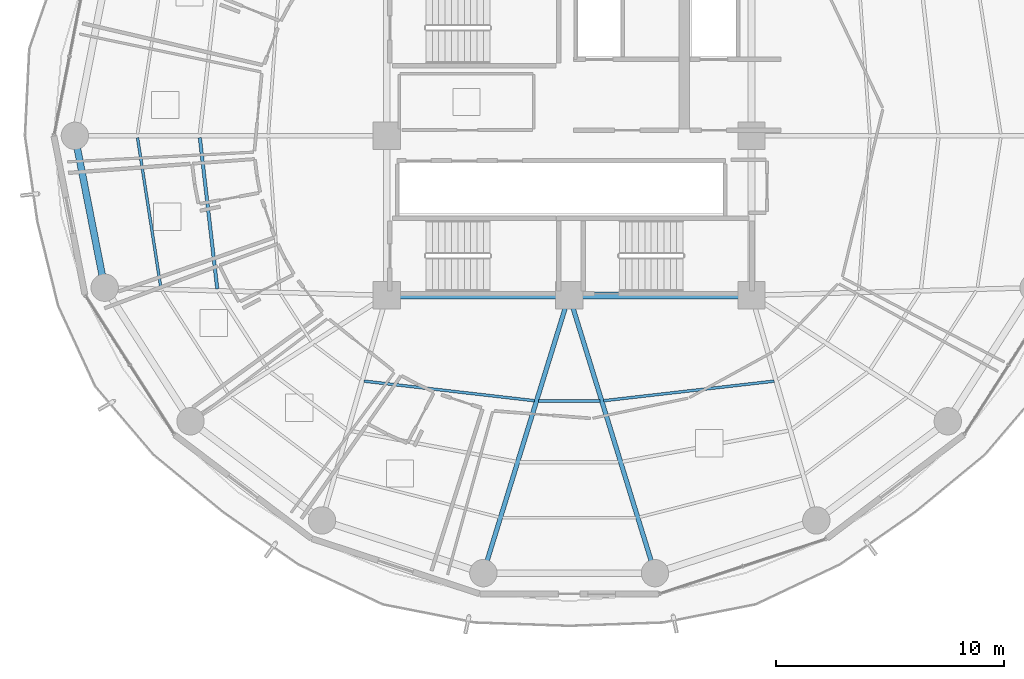
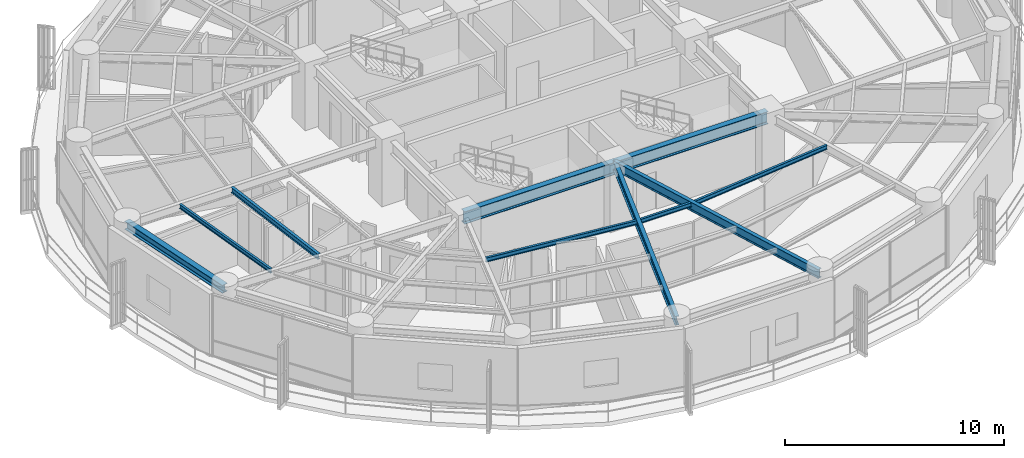
# One storey, part 5 of 28: 10 beams.
"""IFC4 building model written with IfcOpenShell, lengths in metres."""

from ifc_helpers import new_model, si_unit, direction, frame, origin, origin_2d, place, context, subcontext, project, spatial, i_section, extrude, material, material_profile, profile_set, type_object, element, save


model = new_model("IFC4")

# Units and contexts
model_context = context("Model", 3, precision=1e-05, world=origin(), true_north=direction((0.0, 1.0)))
body_context = subcontext(model_context, "Body", "Model", "MODEL_VIEW")
ifc_project = project(units=[si_unit("LENGTHUNIT", "METRE"), si_unit("AREAUNIT", "SQUARE_METRE"), si_unit("VOLUMEUNIT", "CUBIC_METRE"), si_unit("PLANEANGLEUNIT", "RADIAN"), si_unit("MASSUNIT", "GRAM", prefix="KILO")], contexts=[model_context])

# Site, building, storey
site_placement = place(None, origin())
site = spatial("IfcSite", under=ifc_project, at=site_placement, CompositionType="ELEMENT")
building_placement = place(site_placement, origin())
building = spatial("IfcBuilding", under=site, at=building_placement, Name="Kelanora Arch Commons", CompositionType="ELEMENT")
storey_placement = place(building_placement, frame((0.0, 0.0, 139.35009765625)))
storey = spatial("IfcBuildingStorey", under=building, at=storey_placement, Name="L35", CompositionType="ELEMENT", Elevation=139.35009765625)

# Beams
ifc_material = material(Name="Steel S355", Category="steel")
ifc_material_profile_1 = material_profile(ifc_material, i_section(OverallWidth=0.300048828125, OverallDepth=0.699951171875, WebThickness=0.01708984375, FlangeThickness=0.031982421875, FilletRadius=0.027099609375, at=origin_2d()), Name="HEB700")
ifc_profile_set_1 = profile_set([ifc_material_profile_1], Name="Steel S355")
beam_type_1 = type_object("IfcBeamType", Name="BM-CORE-HDR", PredefinedType="BEAM", material=ifc_profile_set_1)
for number, where, z_axis, x_axis, name in (
    (1, (66.0, 51.0, 3.139892578125), (1.0, 0.0, 0.0), (0.0, 1.0, 0.0), "Core Header Beam 01 L35"),
    (2, (74.0, 51.0, 3.139892578125), (1.0, 0.0, 0.0), (0.0, 1.0, 0.0), "Core Header Beam 02 L35"),
):
    element("IfcBeam", number, at=place(storey_placement, frame(where, z_axis=z_axis, x_axis=x_axis)), inside=storey, type_object=beam_type_1, Name=name, PredefinedType="BEAM", context=body_context, shape_type="SweptSolid", body=[
        extrude(i_section(OverallWidth=0.300048828125, OverallDepth=0.699951171875, WebThickness=0.01708984375, FlangeThickness=0.031982421875, FilletRadius=0.027099609375, at=origin_2d()), origin(), (0.0, 0.0, 1.0), 8.0),
    ])
ifc_material_profile_2 = material_profile(ifc_material, i_section(OverallWidth=0.14990234375, OverallDepth=0.300048828125, WebThickness=0.007080078125, FlangeThickness=0.0107421875, FilletRadius=0.014892578125, at=origin_2d()), Name="IPE300")
ifc_profile_set_2 = profile_set([ifc_material_profile_2], Name="Steel S355")
beam_type_2 = type_object("IfcBeamType", Name="BM-JST-01", PredefinedType="JOIST", material=ifc_profile_set_2)
beam_1_placement = place(storey_placement, frame((57.8017578125, 57.91552734375, 3.33984375), z_axis=(0.114667159005, -0.9934039675, 0.0), x_axis=(0.9934039675, 0.114667159005, 0.0)))
element("IfcBeam", 3, at=beam_1_placement, inside=storey, type_object=beam_type_2, Name="Secondary Chord Joist BJB-18 L35", PredefinedType="JOIST", context=body_context, shape_type="SweptSolid", body=[
    extrude(i_section(OverallWidth=0.14990234375, OverallDepth=0.300048828125, WebThickness=0.007080078125, FlangeThickness=0.0107421875, FilletRadius=0.014892578125, at=origin_2d()), origin(), (0.0, 0.0, 1.0), 6.672607421875),
])
ifc_material_profile_3 = material_profile(ifc_material, i_section(OverallWidth=0.1201171875, OverallDepth=0.239990234375, WebThickness=0.006103515625, FlangeThickness=0.009765625, FilletRadius=0.014892578125, at=origin_2d()), Name="IPE240")
ifc_profile_set_3 = profile_set([ifc_material_profile_3], Name="Steel S355")
beam_type_3 = type_object("IfcBeamType", Name="BM-JST-02", PredefinedType="JOIST", material=ifc_profile_set_3)
beam_2_placement = place(storey_placement, frame((55.069091796875, 57.916015625, 3.369873046875), z_axis=(0.153562625853, -0.988138917329, 0.0), x_axis=(0.988138917329, 0.153562625853, 0.0)))
element("IfcBeam", 4, at=beam_2_placement, inside=storey, type_object=beam_type_3, Name="Secondary Chord Joist BJC-18 L35", PredefinedType="JOIST", context=body_context, shape_type="SweptSolid", body=[
    extrude(i_section(OverallWidth=0.1201171875, OverallDepth=0.239990234375, WebThickness=0.006103515625, FlangeThickness=0.009765625, FilletRadius=0.014892578125, at=origin_2d()), origin(), (0.0, 0.0, 1.0), 6.640869140625),
])
beam_3_placement = place(storey_placement, frame((65.005126953125, 47.239501953125, 3.369873046875), z_axis=(0.993457414184, -0.114203179475, 0.0), x_axis=(0.114203179475, 0.993457414184, 0.0)))
element("IfcBeam", 5, at=beam_3_placement, inside=storey, type_object=beam_type_3, Name="Secondary Chord Joist BJA-24 L35", PredefinedType="JOIST", context=body_context, shape_type="SweptSolid", body=[
    extrude(i_section(OverallWidth=0.1201171875, OverallDepth=0.239990234375, WebThickness=0.006103515625, FlangeThickness=0.009765625, FilletRadius=0.014892578125, at=origin_2d()), origin(), (0.0, 0.0, 1.0), 7.529296875),
])
beam_4_placement = place(storey_placement, frame((72.654296875, 46.3701171875, 3.369873046875), z_axis=(1.0, 0.0, 0.0), x_axis=(0.0, 1.0, 0.0)))
element("IfcBeam", 6, at=beam_4_placement, inside=storey, type_object=beam_type_3, Name="Secondary Chord Joist BJA-26 L35", PredefinedType="JOIST", context=body_context, shape_type="SweptSolid", body=[
    extrude(i_section(OverallWidth=0.1201171875, OverallDepth=0.239990234375, WebThickness=0.006103515625, FlangeThickness=0.009765625, FilletRadius=0.014892578125, at=origin_2d()), origin(), (0.0, 0.0, 1.0), 2.69140625),
])
beam_5_placement = place(storey_placement, frame((75.514892578125, 46.379638671875, 3.369873046875), z_axis=(0.993457414184, 0.114203179475, 0.0), x_axis=(-0.114203179475, 0.993457414184, 0.0)))
element("IfcBeam", 7, at=beam_5_placement, inside=storey, type_object=beam_type_3, Name="Secondary Chord Joist BJA-28 L35", PredefinedType="JOIST", context=body_context, shape_type="SweptSolid", body=[
    extrude(i_section(OverallWidth=0.1201171875, OverallDepth=0.239990234375, WebThickness=0.006103515625, FlangeThickness=0.009765625, FilletRadius=0.014892578125, at=origin_2d()), origin(), (0.0, 0.0, 1.0), 7.529296875),
])
ifc_material_profile_4 = material_profile(ifc_material, i_section(OverallWidth=0.199951171875, OverallDepth=0.5, WebThickness=0.01025390625, FlangeThickness=0.01611328125, FilletRadius=0.02099609375, at=origin_2d()), Name="IPE500")
ifc_profile_set_4 = profile_set([ifc_material_profile_4], Name="Steel S355")
beam_type_4 = type_object("IfcBeamType", Name="BM-RAD-Z3", PredefinedType="BEAM", material=ifc_profile_set_4)
for number, where, z_axis, x_axis, name in (
    (8, (74.0, 51.0, 3.239990234375), (-0.295210315095, -0.955432294755, 0.0), (0.955432294755, -0.295210315095, 0.0), "Radial Floor Girder BR-26 L35"),
    (9, (74.0, 51.0, 3.239990234375), (0.295210315095, -0.955432294755, 0.0), (0.955432294755, 0.295210315095, 0.0), "Radial Floor Girder BR-28 L35"),
):
    element("IfcBeam", number, at=place(storey_placement, frame(where, z_axis=z_axis, x_axis=x_axis)), inside=storey, type_object=beam_type_4, Name=name, PredefinedType="BEAM", context=body_context, shape_type="SweptSolid", body=[
        extrude(i_section(OverallWidth=0.199951171875, OverallDepth=0.5, WebThickness=0.01025390625, FlangeThickness=0.01611328125, FilletRadius=0.02099609375, at=origin_2d()), origin(), (0.0, 0.0, 1.0), 12.75244140625),
    ])
ifc_material_profile_5 = material_profile(ifc_material, i_section(OverallWidth=0.300048828125, OverallDepth=0.449951171875, WebThickness=0.013916015625, FlangeThickness=0.02587890625, FilletRadius=0.027099609375, at=origin_2d()), Name="HEB450")
ifc_profile_set_5 = profile_set([ifc_material_profile_5], Name="Steel S355")
beam_type_5 = type_object("IfcBeamType", Name="BM-SPN-Z3", PredefinedType="SPANDREL", material=ifc_profile_set_5)
beam_6_placement = place(storey_placement, frame((52.320068359375, 58.0, 3.264892578125), z_axis=(0.192553643556, -0.981286448675, 0.0), x_axis=(0.981286448675, 0.192553643556, 0.0)))
element("IfcBeam", 10, at=beam_6_placement, inside=storey, type_object=beam_type_5, Name="Perimeter Spandrel Beam BS-18 L35", PredefinedType="SPANDREL", context=body_context, shape_type="SweptSolid", body=[
    extrude(i_section(OverallWidth=0.300048828125, OverallDepth=0.449951171875, WebThickness=0.013916015625, FlangeThickness=0.02587890625, FilletRadius=0.027099609375, at=origin_2d()), origin(), (0.0, 0.0, 1.0), 6.78955078125),
])

save(model, "model.ifc")
